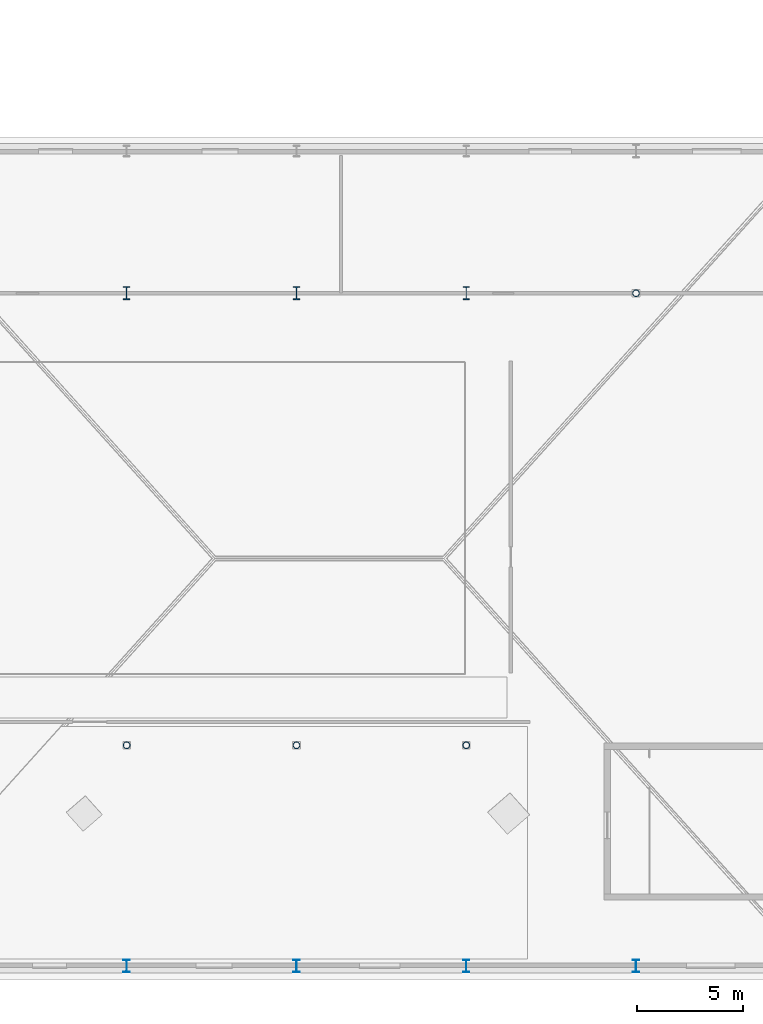
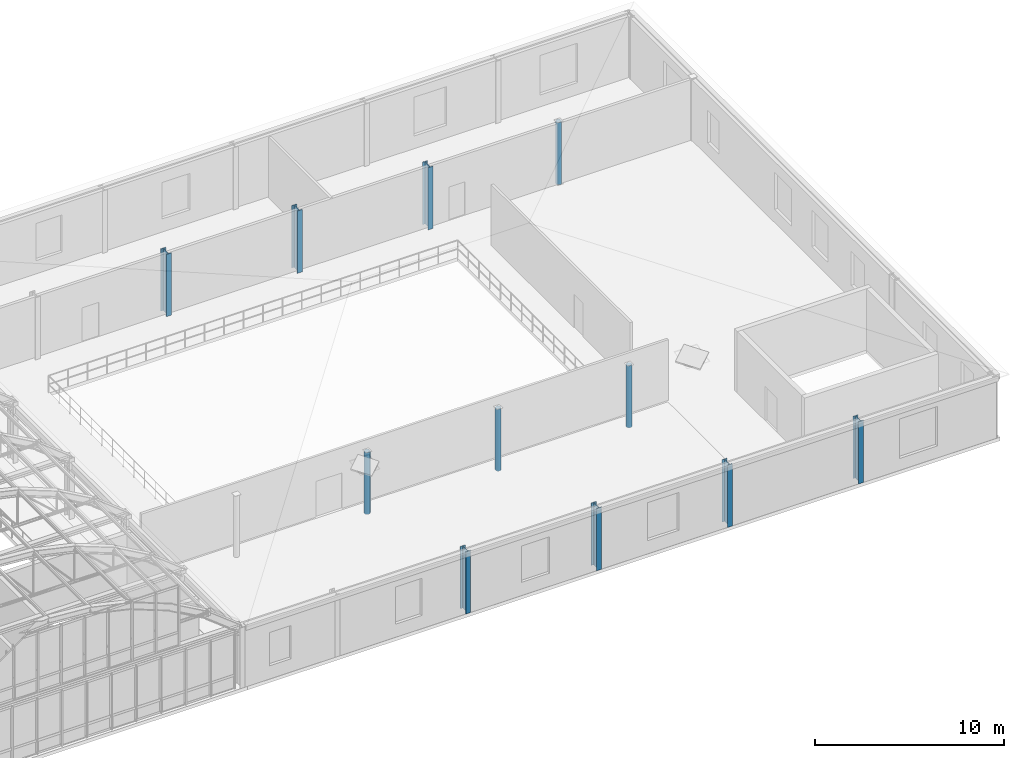
# One storey, part 14 of 148: 11 columns.
"""IFC4 building model written with IfcOpenShell, lengths in metres."""

from ifc_helpers import new_model, si_unit, direction, frame, origin, origin_2d, place, context, subcontext, project, spatial, hollow_circle, i_section, extrude, material, material_profile, profile_set, type_object, element, save


model = new_model("IFC4")

# Units and contexts
model_context = context("Model", 3, precision=1e-05, world=origin(), true_north=direction((0.0, 1.0)))
body_context = subcontext(model_context, "Body", "Model", "MODEL_VIEW")
ifc_project = project(units=[si_unit("LENGTHUNIT", "METRE"), si_unit("AREAUNIT", "SQUARE_METRE"), si_unit("VOLUMEUNIT", "CUBIC_METRE"), si_unit("PLANEANGLEUNIT", "RADIAN"), si_unit("MASSUNIT", "GRAM", prefix="KILO"), si_unit("THERMODYNAMICTEMPERATUREUNIT", "KELVIN"), si_unit("POWERUNIT", "WATT")], contexts=[model_context])

# Site, building, storey
site_placement = place(None, origin())
site = spatial("IfcSite", under=ifc_project, at=site_placement, CompositionType="ELEMENT")
building_placement = place(site_placement, origin())
building = spatial("IfcBuilding", under=site, at=building_placement, Name="Solvatero Civic Police Headquarters", CompositionType="ELEMENT")
storey_placement = place(building_placement, frame((0.0, 0.0, 5.10009765625)))
storey = spatial("IfcBuildingStorey", under=building, at=storey_placement, Name="L01", CompositionType="ELEMENT", Elevation=5.10009765625)

# Columns
ifc_material = material(Name="Steel S355", Category="steel")
ifc_material_profile_1 = material_profile(ifc_material, hollow_circle(Radius=0.161865234375, WallThickness=0.01611328125, at=origin_2d()), Name="CHS 323.9x16.0")
ifc_profile_set_1 = profile_set([ifc_material_profile_1], Name="Steel S355")
column_type_1 = type_object("IfcColumnType", Name="COL-ST-CHS324", PredefinedType="COLUMN", material=ifc_profile_set_1)
for number, where, z_axis, x_axis, name in (
    (1, (136.0, 15.199951171875, 0.0), (0.0, 0.0, 1.0), (1.0, 0.0, 0.0), "Column V3-X2Y2 L01"),
    (2, (144.0, 15.199951171875, 0.0), (0.0, 0.0, 1.0), (1.0, 0.0, 0.0), "Column V3-X3Y2 L01"),
    (3, (152.0, 15.199951171875, 0.0), (0.0, 0.0, 1.0), (1.0, 0.0, 0.0), "Column V3-X4Y2 L01"),
    (4, (160.0, 36.5, 0.0), (0.0, 0.0, 1.0), (1.0, 0.0, 0.0), "Column V3-X5Y3 L01"),
):
    element("IfcColumn", number, at=place(storey_placement, frame(where, z_axis=z_axis, x_axis=x_axis)), inside=storey, type_object=column_type_1, Name=name, PredefinedType="COLUMN", context=body_context, shape_type="SweptSolid", body=[
        extrude(hollow_circle(Radius=0.161865234375, WallThickness=0.01611328125, at=origin_2d()), origin(), (0.0, 0.0, 1.0), 4.02001953125),
    ])
ifc_material_profile_2 = material_profile(ifc_material, i_section(OverallWidth=0.300048828125, OverallDepth=0.60009765625, WebThickness=0.015380859375, FlangeThickness=0.030029296875, FilletRadius=0.027099609375, at=origin_2d()), Name="HEB 600")
ifc_profile_set_2 = profile_set([ifc_material_profile_2], Name="Steel S355")
column_type_2 = type_object("IfcColumnType", Name="COL-ST-HEB600", PredefinedType="COLUMN", material=ifc_profile_set_2)
for number, where, z_axis, x_axis, name in (
    (5, (136.0, 4.800048828125, 0.0), (0.0, 0.0, 1.0), (1.0, 0.0, 0.0), "Column V3-X2Y1 L01"),
    (6, (144.0, 4.800048828125, 0.0), (0.0, 0.0, 1.0), (1.0, 0.0, 0.0), "Column V3-X3Y1 L01"),
    (7, (152.0, 4.800048828125, 0.0), (0.0, 0.0, 1.0), (1.0, 0.0, 0.0), "Column V3-X4Y1 L01"),
    (8, (160.0, 4.800048828125, 0.0), (0.0, 0.0, 1.0), (1.0, 0.0, 0.0), "Column V3-X5Y1 L01"),
):
    element("IfcColumn", number, at=place(storey_placement, frame(where, z_axis=z_axis, x_axis=x_axis)), inside=storey, type_object=column_type_2, Name=name, PredefinedType="COLUMN", context=body_context, shape_type="SweptSolid", body=[
        extrude(i_section(OverallWidth=0.300048828125, OverallDepth=0.60009765625, WebThickness=0.015380859375, FlangeThickness=0.030029296875, FilletRadius=0.027099609375, at=origin_2d()), origin(), (0.0, 0.0, 1.0), 4.02001953125),
    ])
ifc_material_profile_3 = material_profile(ifc_material, i_section(OverallWidth=0.304931640625, OverallDepth=0.6201171875, WebThickness=0.02099609375, FlangeThickness=0.0400390625, FilletRadius=0.027099609375, at=origin_2d()), Name="HEM 600")
ifc_profile_set_3 = profile_set([ifc_material_profile_3], Name="Steel S355")
column_type_3 = type_object("IfcColumnType", Name="COL-ST-HEM600", PredefinedType="COLUMN", material=ifc_profile_set_3)
for number, where, z_axis, x_axis, name in (
    (9, (136.0, 36.5, 0.0), (0.0, 0.0, 1.0), (1.0, 0.0, 0.0), "Column V3-X2Y3 L01"),
    (10, (144.0, 36.5, 0.0), (0.0, 0.0, 1.0), (1.0, 0.0, 0.0), "Column V3-X3Y3 L01"),
    (11, (152.0, 36.5, 0.0), (0.0, 0.0, 1.0), (1.0, 0.0, 0.0), "Column V3-X4Y3 L01"),
):
    element("IfcColumn", number, at=place(storey_placement, frame(where, z_axis=z_axis, x_axis=x_axis)), inside=storey, type_object=column_type_3, Name=name, PredefinedType="COLUMN", context=body_context, shape_type="SweptSolid", body=[
        extrude(i_section(OverallWidth=0.304931640625, OverallDepth=0.6201171875, WebThickness=0.02099609375, FlangeThickness=0.0400390625, FilletRadius=0.027099609375, at=origin_2d()), origin(), (0.0, 0.0, 1.0), 4.02001953125),
    ])

save(model, "model.ifc")
